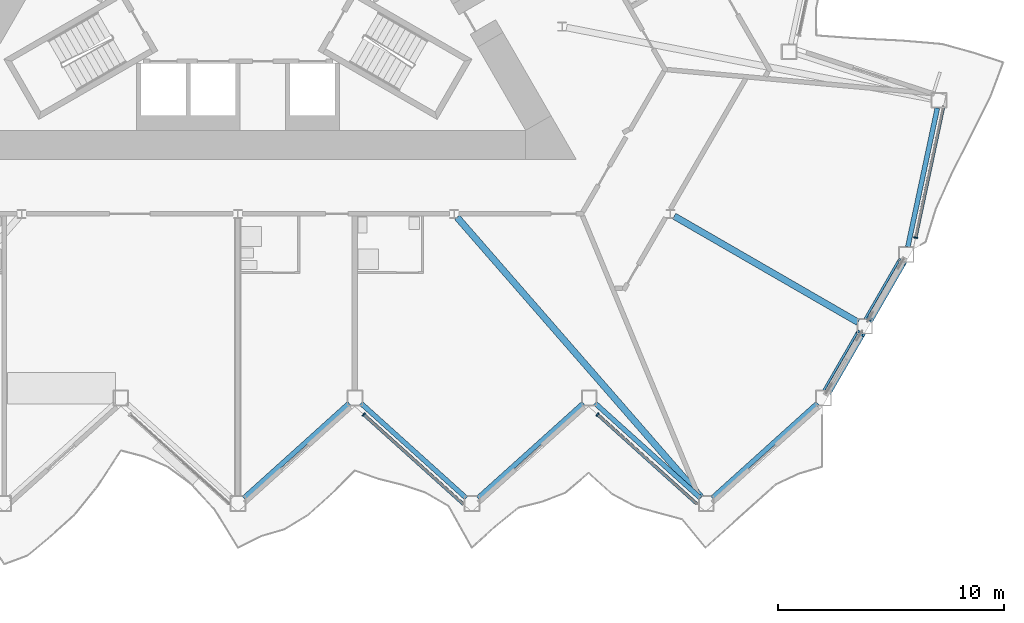
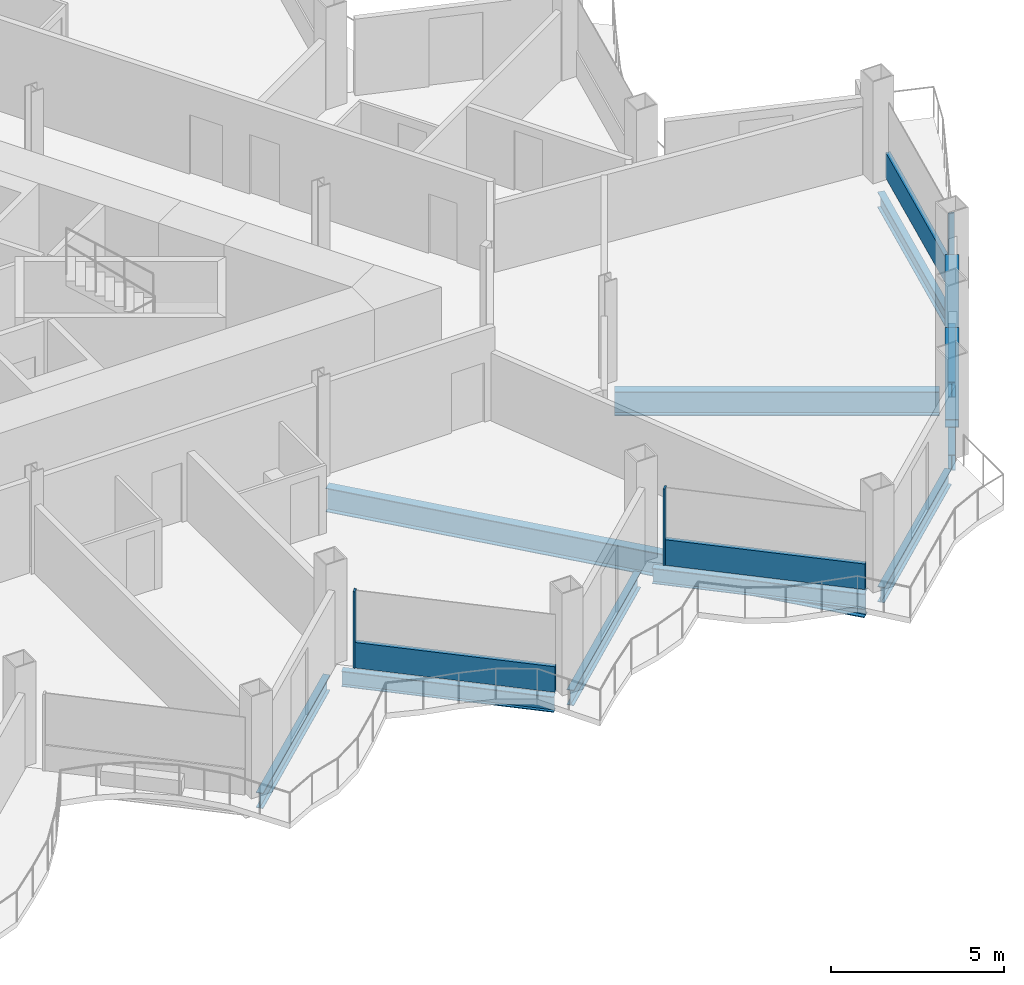
# One storey, part 6 of 23: 10 beams, 8 members, 3 elements without a shape of their own.
"""IFC4 building model written with IfcOpenShell, lengths in metres."""

from ifc_helpers import new_model, si_unit, direction, frame, origin, origin_2d, place, context, subcontext, project, spatial, rectangle, hollow_rectangle, i_section, extrude, material, layer, layer_set, material_profile, profile_set, type_object, element, aggregate, save


model = new_model("IFC4")

# Units and contexts
model_context = context("Model", 3, precision=1e-05, world=origin(), true_north=direction((0.0, 1.0)))
body_context = subcontext(model_context, "Body", "Model", "MODEL_VIEW")
ifc_project = project(units=[si_unit("LENGTHUNIT", "METRE"), si_unit("AREAUNIT", "SQUARE_METRE"), si_unit("VOLUMEUNIT", "CUBIC_METRE"), si_unit("PLANEANGLEUNIT", "RADIAN"), si_unit("MASSUNIT", "GRAM", prefix="KILO")], contexts=[model_context])

# Site, building, storey
site_placement = place(None, origin())
site = spatial("IfcSite", under=ifc_project, at=site_placement, CompositionType="ELEMENT")
building_placement = place(site_placement, origin())
building = spatial("IfcBuilding", under=site, at=building_placement, Name="Cormorant Prow Tower", CompositionType="ELEMENT")
storey_placement = place(building_placement, frame((0.0, 0.0, 256.199951171875)))
storey = spatial("IfcBuildingStorey", under=building, at=storey_placement, Name="L57", CompositionType="ELEMENT", Elevation=256.199951171875)

# Members
ifc_material_1 = material(Name="Structural steel ASTM A500 Gr C", Category="steel")
ifc_material_profile_1 = material_profile(ifc_material_1, hollow_rectangle(XDim=0.406494140625, YDim=0.406494140625, WallThickness=0.01171875, at=origin_2d()), Name="HSS16x16x1/2")
ifc_profile_set_1 = profile_set([ifc_material_profile_1], Name="Structural steel ASTM A500 Gr C")
member_type_1 = type_object("IfcMemberType", Name="Chamfer brace HSS16x16x1/2", PredefinedType="BRACE", material=ifc_profile_set_1)
for number, where, z_axis, x_axis, name in (
    (1, (26.1240234375, -18.898681640625, 0.74951171875), (0.462773096913, 0.801606962687, 0.378506721399), (-0.866041729639, 0.499971721724, 0.0), "Chamfer brace BR2 at ESE00 L57"),
    (2, (27.959228515625, -15.719970703125, 0.74951171875), (0.462773096913, 0.801606962687, 0.378506721399), (-0.866041729639, 0.499971721724, 0.0), "Chamfer brace BR2 at ESE01 L57"),
):
    element("IfcMember", number, at=place(storey_placement, frame(where, z_axis=z_axis, x_axis=x_axis)), inside=storey, type_object=member_type_1, Name=name, PredefinedType="BRACE", context=body_context, shape_type="SweptSolid", body=[
        extrude(hollow_rectangle(XDim=0.406494140625, YDim=0.406494140625, WallThickness=0.01171875, at=origin_2d()), origin(), (0.0, 0.0, 1.0), 3.17529296875),
    ])

# Curtain wall, member
ifc_material_2 = material(Name="Aluminium 6063-T6", Category="aluminium")
ifc_layer = layer(ifc_material_2, 0.179931640625)
ifc_layer_set = layer_set([ifc_layer], Name="Aluminium 6063-T6")
curtain_wall_type = type_object("IfcCurtainWallType", Name="Hotel unitised curtain wall 180", PredefinedType="NOTDEFINED", material=ifc_layer_set)
curtain_wall_1_placement = place(storey_placement, origin())
curtain_wall_1 = element("IfcCurtainWall", 3, at=curtain_wall_1_placement, inside=storey, type_object=curtain_wall_type, Name="Hotel curtain wall S06", PredefinedType="NOTDEFINED")
ifc_material_3 = material(Name="Aluminium 6063-T6", Category="aluminium")
ifc_material_profile_2 = material_profile(ifc_material_3, rectangle(XDim=0.179931640625, YDim=0.06005859375, at=origin_2d()), Name="Hotel mullion 60x180")
ifc_profile_set_2 = profile_set([ifc_material_profile_2], Name="Aluminium 6063-T6")
member_type_2 = type_object("IfcMemberType", Name="Hotel mullion 60x180", PredefinedType="MULLION", material=ifc_profile_set_2)
member_1_placement = place(storey_placement, frame((5.57421875, -19.94873046875, 0.0), z_axis=(0.0, 0.0, 1.0), x_axis=(0.669130602377, 0.743144829063, 0.0)))
member_1 = element("IfcMember", 4, at=member_1_placement, type_object=member_type_2, Name="Hotel mullion S06", PredefinedType="MULLION", context=body_context, shape_type="SweptSolid", body=[
    extrude(rectangle(XDim=0.179931640625, YDim=0.06005859375, at=origin_2d()), origin(), (0.0, 0.0, 1.0), 2.700927734375),
])

curtain_wall_2_placement = place(storey_placement, origin())
curtain_wall_2 = element("IfcCurtainWall", 5, at=curtain_wall_2_placement, inside=storey, type_object=curtain_wall_type, Name="Hotel curtain wall S08", PredefinedType="NOTDEFINED")
member_2_placement = place(storey_placement, frame((15.93310546875, -19.94873046875, 0.0), z_axis=(0.0, 0.0, 1.0), x_axis=(0.669130602377, 0.743144829063, 0.0)))
member_2 = element("IfcMember", 6, at=member_2_placement, type_object=member_type_2, Name="Hotel mullion S08", PredefinedType="MULLION", context=body_context, shape_type="SweptSolid", body=[
    extrude(rectangle(XDim=0.179931640625, YDim=0.06005859375, at=origin_2d()), origin(), (0.0, 0.0, 1.0), 2.700927734375),
])

curtain_wall_3_placement = place(storey_placement, origin())
curtain_wall_3 = element("IfcCurtainWall", 7, at=curtain_wall_3_placement, inside=storey, type_object=curtain_wall_type, Name="Hotel curtain wall ENE00", PredefinedType="NOTDEFINED")
member_3_placement = place(storey_placement, frame((30.027587890625, -12.11181640625, 0.0), z_axis=(0.0, 0.0, 1.0), x_axis=(-0.978147572038, 0.207911825822, 0.0)))
member_3 = element("IfcMember", 8, at=member_3_placement, type_object=member_type_2, Name="Hotel mullion ENE00", PredefinedType="MULLION", context=body_context, shape_type="SweptSolid", body=[
    extrude(rectangle(XDim=0.179931640625, YDim=0.06005859375, at=origin_2d()), origin(), (0.0, 0.0, 1.0), 2.700927734375),
])

# Member
ifc_material_4 = material(Name="Terracotta", Category="masonry")
ifc_material_profile_3 = material_profile(ifc_material_4, rectangle(XDim=0.139892578125, YDim=0.89990234375, at=origin_2d()), Name="Hotel terracotta spandrel rail 140x900")
ifc_profile_set_3 = profile_set([ifc_material_profile_3], Name="Terracotta")
member_type_3 = type_object("IfcMemberType", Name="Hotel terracotta spandrel rail 140x900", PredefinedType="USERDEFINED", material=ifc_profile_set_3)
member_4_placement = place(storey_placement, frame((5.596435546875, -19.968994140625, 0.449951171875), z_axis=(0.743164674775, -0.669108560823, 0.0), x_axis=(0.669108560823, 0.743164674775, 0.0)))
member_4 = element("IfcMember", 9, at=member_4_placement, type_object=member_type_3, Name="Hotel spandrel rail S06", ObjectType="TRANSOM", PredefinedType="USERDEFINED", context=body_context, shape_type="SweptSolid", body=[
    extrude(rectangle(XDim=0.139892578125, YDim=0.89990234375, at=origin_2d()), origin(), (0.0, 0.0, 1.0), 5.90771484375),
])

aggregate(curtain_wall_1, [member_1, member_4])

member_5_placement = place(storey_placement, frame((15.955322265625, -19.968994140625, 0.449951171875), z_axis=(0.743164674775, -0.669108560823, 0.0), x_axis=(0.669108560823, 0.743164674775, 0.0)))
member_5 = element("IfcMember", 10, at=member_5_placement, type_object=member_type_3, Name="Hotel spandrel rail S08", ObjectType="TRANSOM", PredefinedType="USERDEFINED", context=body_context, shape_type="SweptSolid", body=[
    extrude(rectangle(XDim=0.139892578125, YDim=0.89990234375, at=origin_2d()), origin(), (0.0, 0.0, 1.0), 5.90771484375),
])

aggregate(curtain_wall_2, [member_2, member_5])

member_6_placement = place(storey_placement, frame((30.033935546875, -12.08251953125, 0.449951171875), z_axis=(0.207903236983, 0.978149397614, 0.0), x_axis=(-0.978149397614, 0.207903236983, 0.0)))
member_6 = element("IfcMember", 11, at=member_6_placement, type_object=member_type_3, Name="Hotel spandrel rail ENE00", ObjectType="TRANSOM", PredefinedType="USERDEFINED", context=body_context, shape_type="SweptSolid", body=[
    extrude(rectangle(XDim=0.139892578125, YDim=0.89990234375, at=origin_2d()), origin(), (0.0, 0.0, 1.0), 5.907958984375),
])

aggregate(curtain_wall_3, [member_3, member_6])

# Beams
ifc_material_5 = material(Name="Structural steel ASTM A992 Gr 50", Category="steel")
ifc_material_profile_4 = material_profile(ifc_material_5, i_section(OverallWidth=0.29296875, OverallDepth=0.845703125, WebThickness=0.015380859375, FlangeThickness=0.0244140625, at=origin_2d()), Name="W33x141")
ifc_profile_set_4 = profile_set([ifc_material_profile_4], Name="Structural steel ASTM A992 Gr 50")
beam_type_1 = type_object("IfcBeamType", Name="Radial floor beam W33x141", PredefinedType="BEAM", material=ifc_profile_set_4)
beam_1_placement = place(storey_placement, frame((9.70947265625, -11.210693359375, -0.77294921875), z_axis=(0.656874593387, -0.753999846527, 0.0), x_axis=(0.753999846527, 0.656874593387, 0.0)))
element("IfcBeam", 12, at=beam_1_placement, inside=storey, type_object=beam_type_1, Name="Radial floor beam FB2 8 L57", PredefinedType="BEAM", context=body_context, shape_type="SweptSolid", body=[
    extrude(i_section(OverallWidth=0.29296875, OverallDepth=0.845703125, WebThickness=0.015380859375, FlangeThickness=0.0244140625, at=origin_2d()), origin(), (0.0, 0.0, 1.0), 16.4619140625),
])
beam_2_placement = place(storey_placement, frame((19.32958984375, -11.159912109375, -0.77294921875), z_axis=(0.866021726843, -0.500006368596, 0.0), x_axis=(0.500006368596, 0.866021726843, 0.0)))
element("IfcBeam", 13, at=beam_2_placement, inside=storey, type_object=beam_type_1, Name="Radial floor beam FB2 9 L57", PredefinedType="BEAM", context=body_context, shape_type="SweptSolid", body=[
    extrude(i_section(OverallWidth=0.29296875, OverallDepth=0.845703125, WebThickness=0.015380859375, FlangeThickness=0.0244140625, at=origin_2d()), origin(), (0.0, 0.0, 1.0), 9.40380859375),
])
ifc_material_6 = material(Name="Structural steel ASTM A992 Gr 50", Category="steel")
ifc_material_profile_5 = material_profile(ifc_material_6, i_section(OverallWidth=0.2138671875, OverallDepth=0.549072265625, WebThickness=0.0146484375, FlangeThickness=0.023681640625, at=origin_2d()), Name="W21x93")
ifc_profile_set_5 = profile_set([ifc_material_profile_5], Name="Structural steel ASTM A992 Gr 50")
beam_type_2 = type_object("IfcBeamType", Name="Spandrel beam W21x93", PredefinedType="SPANDREL", material=ifc_profile_set_5)
for number, where, z_axis, x_axis, name in (
    (14, (0.260009765625, -23.65283203125, -0.62451171875), (0.743156918576, 0.669117175368, 0.0), (-0.669117175368, 0.743156918576, 0.0), "Spandrel beam SB2 S05-S06 L57"),
    (15, (5.4482421875, -19.44970703125, -0.62451171875), (0.743156918576, -0.669117175368, 0.0), (0.669117175368, 0.743156918576, 0.0), "Spandrel beam SB2 S06-S07 L57"),
    (16, (10.636474609375, -23.65283203125, -0.62451171875), (0.743156918576, 0.669117175368, 0.0), (-0.669117175368, 0.743156918576, 0.0), "Spandrel beam SB2 S07-S08 L57"),
    (17, (15.82470703125, -19.44970703125, -0.62451171875), (0.743156918576, -0.669117175368, 0.0), (0.669117175368, 0.743156918576, 0.0), "Spandrel beam SB2 S08-S09 L57"),
    (18, (21.012939453125, -23.65283203125, -0.62451171875), (0.743156918576, 0.669117175368, 0.0), (-0.669117175368, 0.743156918576, 0.0), "Spandrel beam SB2 S09-ESE00 L57"),
):
    element("IfcBeam", number, at=place(storey_placement, frame(where, z_axis=z_axis, x_axis=x_axis)), inside=storey, type_object=beam_type_2, Name=name, PredefinedType="SPANDREL", context=body_context, shape_type="SweptSolid", body=[
        extrude(i_section(OverallWidth=0.2138671875, OverallDepth=0.549072265625, WebThickness=0.0146484375, FlangeThickness=0.023681640625, at=origin_2d()), origin(), (0.0, 0.0, 1.0), 6.281494140625),
    ])
for number, where, z_axis, x_axis, name in (
    (19, (26.1162109375, -18.912353515625, -0.62451171875), (0.499966725515, 0.866044613965, 0.0), (-0.866044613965, 0.499966725515, 0.0), "Spandrel beam SB2 ESE00-ESE01 L57"),
    (20, (27.951416015625, -15.733642578125, -0.62451171875), (0.499966725515, 0.866044613965, 0.0), (-0.866044613965, 0.499966725515, 0.0), "Spandrel beam SB2 ESE01-ENE00 L57"),
):
    element("IfcBeam", number, at=place(storey_placement, frame(where, z_axis=z_axis, x_axis=x_axis)), inside=storey, type_object=beam_type_2, Name=name, PredefinedType="SPANDREL", context=body_context, shape_type="SweptSolid", body=[
        extrude(i_section(OverallWidth=0.2138671875, OverallDepth=0.549072265625, WebThickness=0.0146484375, FlangeThickness=0.023681640625, at=origin_2d()), origin(), (0.0, 0.0, 1.0), 2.970458984375),
    ])
beam_3_placement = place(storey_placement, frame((29.684326171875, -12.515625, -0.62451171875), z_axis=(0.207941499013, 0.978141264331, 0.0), x_axis=(-0.978141264331, 0.207941499013, 0.0)))
element("IfcBeam", 21, at=beam_3_placement, inside=storey, type_object=beam_type_2, Name="Spandrel beam SB2 ENE00-ENE01 L57", PredefinedType="SPANDREL", context=body_context, shape_type="SweptSolid", body=[
    extrude(i_section(OverallWidth=0.2138671875, OverallDepth=0.549072265625, WebThickness=0.0146484375, FlangeThickness=0.023681640625, at=origin_2d()), origin(), (0.0, 0.0, 1.0), 6.28125),
])

save(model, "model.ifc")
